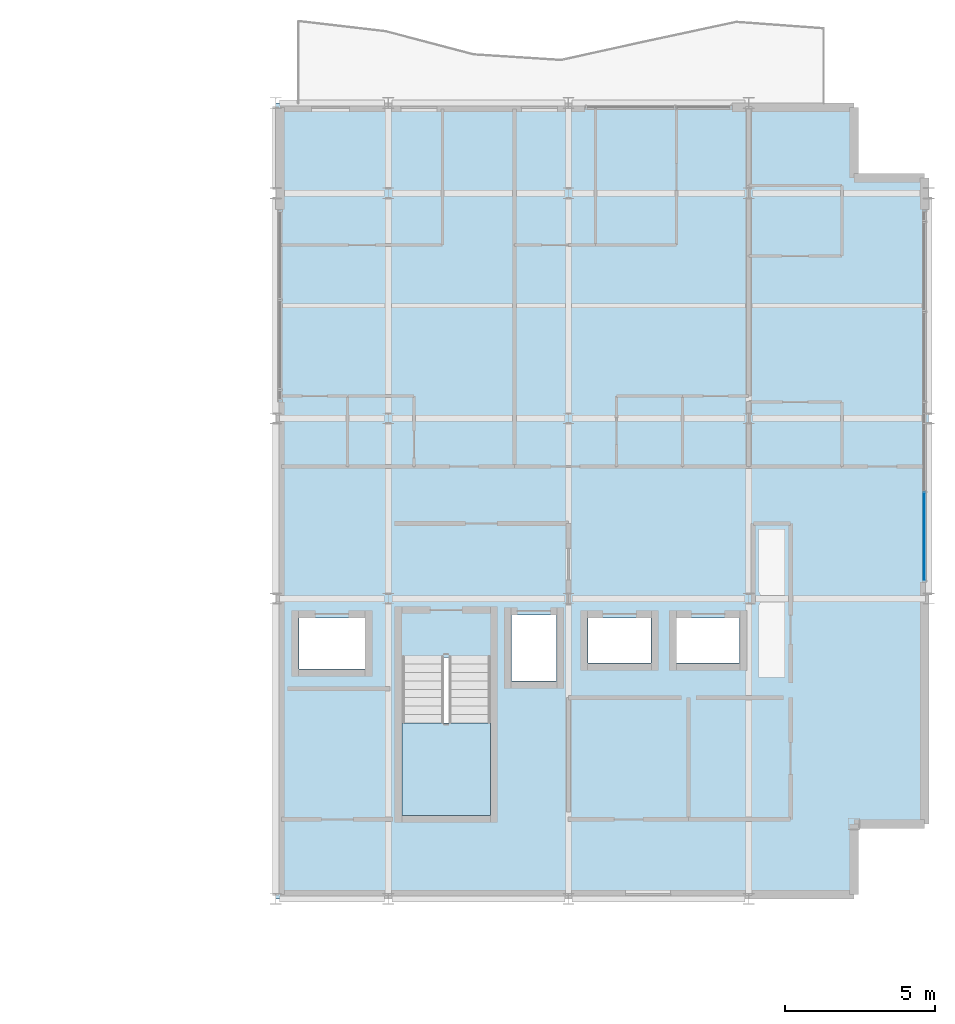
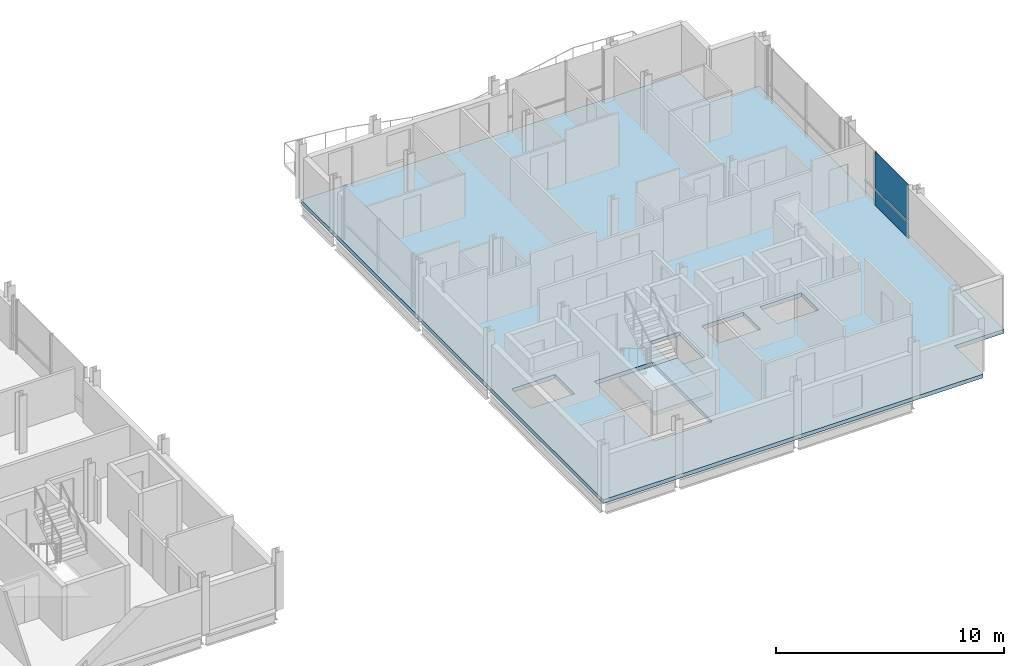
# One storey, part 19 of 29: 2 plates, 2 slabs, 2 elements without a shape of their own.
"""IFC4 building model written with IfcOpenShell, lengths in metres."""

from ifc_helpers import new_model, si_unit, direction, frame, origin, origin_2d, place, context, subcontext, project, spatial, polyline, rectangle, outline, extrude, material, layer, layer_set, type_object, element, aggregate, save


model = new_model("IFC4")

# Units and contexts
model_context = context("Model", 3, precision=1e-05, world=origin(), true_north=direction((0.0, 1.0)))
body_context = subcontext(model_context, "Body", "Model", "MODEL_VIEW")
ifc_project = project(units=[si_unit("LENGTHUNIT", "METRE"), si_unit("AREAUNIT", "SQUARE_METRE"), si_unit("VOLUMEUNIT", "CUBIC_METRE"), si_unit("PLANEANGLEUNIT", "RADIAN"), si_unit("MASSUNIT", "GRAM", prefix="KILO")], contexts=[model_context])

# Site, building, storey
site_placement = place(None, origin())
site = spatial("IfcSite", under=ifc_project, at=site_placement, CompositionType="ELEMENT")
building_placement = place(site_placement, origin())
building = spatial("IfcBuilding", under=site, at=building_placement, Name="Brevholm Reach", CompositionType="ELEMENT")
storey_placement = place(building_placement, frame((0.0, 0.0, 201.800048828125)))
storey = spatial("IfcBuildingStorey", under=building, at=storey_placement, Name="L61", CompositionType="ELEMENT", Elevation=201.800048828125)

# Curtain wall, plates
ifc_material_1 = material(Name="Dark Anodised Aluminium 6063-T6 and Solar-Control Glass", Category="aluminium")
ifc_layer_1 = layer(ifc_material_1, 0.14990234375)
ifc_layer_set_1 = layer_set([ifc_layer_1], Name="Dark Anodised Aluminium 6063-T6 and Solar-Control Glass")
curtain_wall_type = type_object("IfcCurtainWallType", Name="CW-01", PredefinedType="NOTDEFINED", material=ifc_layer_set_1)
curtain_wall_placement = place(storey_placement, origin())
curtain_wall = element("IfcCurtainWall", 1, at=curtain_wall_placement, inside=storey, type_object=curtain_wall_type, Name="L61 Curtain Wall CW-01", PredefinedType="NOTDEFINED")
ifc_material_2 = material(Name="Dark Solar-Control Double-Glazed IGU Glass", Category="glass")
ifc_layer_2 = layer(ifc_material_2, 0.028076171875)
ifc_layer_set_2 = layer_set([ifc_layer_2], Name="Dark Solar-Control Double-Glazed IGU Glass")
plate_type = type_object("IfcPlateType", Name="CWP-GLZ-28", PredefinedType="CURTAIN_PANEL", material=ifc_layer_set_2)
plate_1_placement = place(storey_placement, frame((59.85009765625, 12.066162109375, 0.0), z_axis=(0.0, 0.0, 1.0), x_axis=(0.0, 1.0, 0.0)))
plate_1 = element("IfcPlate", 2, at=plate_1_placement, type_object=plate_type, Name="CP-01 Glazing Panel 1.1", PredefinedType="CURTAIN_PANEL", context=body_context, shape_type="SweptSolid", body=[
    extrude(rectangle(XDim=2.902587890625, YDim=0.028076171875, at=origin_2d()), origin(), (0.0, 0.0, 1.0), 0.867431640625),
])
plate_2_placement = place(storey_placement, frame((59.85009765625, 12.066162109375, 0.932373046875), z_axis=(0.0, 0.0, 1.0), x_axis=(0.0, 1.0, 0.0)))
plate_2 = element("IfcPlate", 3, at=plate_2_placement, type_object=plate_type, Name="CP-01 Glazing Panel 1.2", PredefinedType="CURTAIN_PANEL", context=body_context, shape_type="SweptSolid", body=[
    extrude(rectangle(XDim=2.902587890625, YDim=0.028076171875, at=origin_2d()), origin(), (0.0, 0.0, 1.0), 1.95751953125),
])
aggregate(curtain_wall, [plate_1, plate_2])

# Slab
ifc_material_3 = material(Name="Concrete C40/50", Category="concrete")
ifc_layer_3 = layer(ifc_material_3, 0.2099609375)
ifc_layer_set_3 = layer_set([ifc_layer_3], Name="Concrete C40/50")
slab_type_1 = type_object("IfcSlabType", Name="SLB-FL-210", PredefinedType="FLOOR", material=ifc_layer_set_3)
slab_1_placement = place(storey_placement, frame((0.0, 0.0, -0.2099609375)))
element("IfcSlab", 4, at=slab_1_placement, inside=storey, type_object=slab_type_1, Name="L61 Suspended Floor Slab (east-wing)", PredefinedType="FLOOR", context=body_context, shape_type="SweptSolid", body=[
    extrude(outline(polyline([(38.25, 0.0), (57.5, 0.0), (57.5, 2.5), (60.0, 2.5), (60.0, 24.0), (57.5, 24.0), (57.5, 26.5), (38.25, 26.5), (38.25, 0.0)]), holes=[polyline([(42.449951171875, 2.780029296875), (45.39990234375, 2.780029296875), (45.39990234375, 8.044921875), (42.449951171875, 8.044921875), (42.449951171875, 2.780029296875)]), polyline([(46.10009765625, 7.25), (47.60009765625, 7.25), (47.60009765625, 9.449951171875), (46.10009765625, 9.449951171875), (46.10009765625, 7.25)]), polyline([(39.02001953125, 7.64990234375), (41.219970703125, 7.64990234375), (41.219970703125, 9.35009765625), (39.02001953125, 9.35009765625), (39.02001953125, 7.64990234375)]), polyline([(48.64990234375, 7.85009765625), (50.75, 7.85009765625), (50.75, 9.35009765625), (48.64990234375, 9.35009765625), (48.64990234375, 7.85009765625)]), polyline([(51.60009765625, 7.85009765625), (53.699951171875, 7.85009765625), (53.699951171875, 9.35009765625), (51.60009765625, 9.35009765625), (51.60009765625, 7.85009765625)])]), origin(), (0.0, 0.0, 1.0), 0.2099609375),
])

# Stair, slab
ifc_material_4 = material(Name="Precast Concrete C40/50", Category="concrete")
stair_type = type_object("IfcStairType", Name="STR-ESC-1400", PredefinedType="DOUBLE_RETURN_STAIR", material=ifc_material_4)
stair_placement = place(storey_placement, origin())
stair = element("IfcStair", 5, at=stair_placement, inside=storey, type_object=stair_type, Name="L61 ST-2", PredefinedType="DOUBLE_RETURN_STAIR")
ifc_material_5 = material(Name="Concrete C40/50", Category="concrete")
ifc_layer_4 = layer(ifc_material_5, 0.199951171875)
ifc_layer_set_4 = layer_set([ifc_layer_4], Name="Concrete C40/50")
slab_type_2 = type_object("IfcSlabType", Name="SLB-LND-200", PredefinedType="LANDING", material=ifc_layer_set_4)
slab_2_placement = place(storey_placement, frame((0.0, 0.0, 1.349853515625)))
slab_2 = element("IfcSlab", 6, at=slab_2_placement, type_object=slab_type_2, Name="ST-2 landing 1", PredefinedType="LANDING", context=body_context, shape_type="SweptSolid", body=[
    extrude(outline(polyline([(42.449951171875, 5.860107421875), (42.449951171875, 2.780029296875), (45.39990234375, 2.780029296875), (45.39990234375, 5.860107421875), (42.449951171875, 5.860107421875)])), origin(), (0.0, 0.0, 1.0), 0.2001953125),
])
aggregate(stair, [slab_2])

save(model, "model.ifc")
